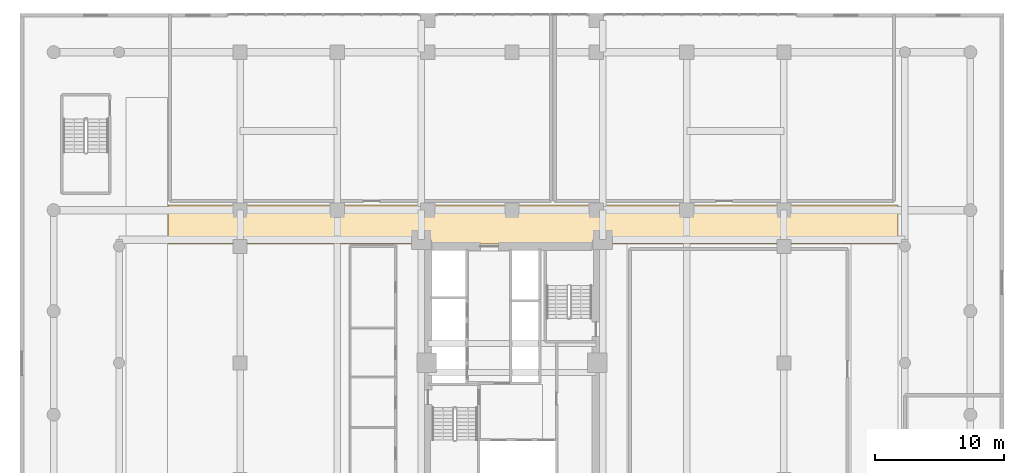
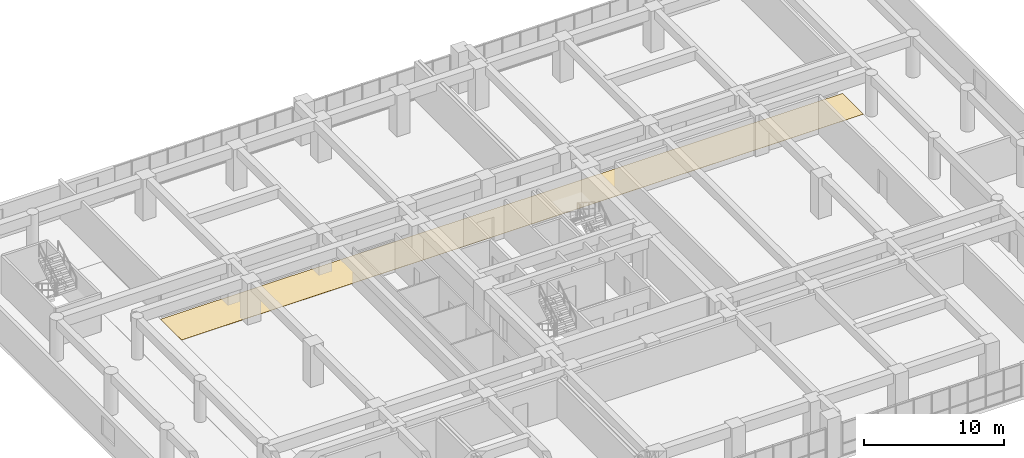
# One storey, part 28 of 30: 1 covering.
"""IFC4 building model written with IfcOpenShell, lengths in metres."""

from ifc_helpers import new_model, si_unit, direction, frame, origin, place, context, subcontext, project, spatial, polyline, outline, extrude, material, layer, layer_set, type_object, element, save


model = new_model("IFC4")

# Units and contexts
model_context = context("Model", 3, precision=1e-05, world=origin(), true_north=direction((0.0, 1.0)))
body_context = subcontext(model_context, "Body", "Model", "MODEL_VIEW")
ifc_project = project(units=[si_unit("LENGTHUNIT", "METRE"), si_unit("AREAUNIT", "SQUARE_METRE"), si_unit("VOLUMEUNIT", "CUBIC_METRE"), si_unit("PLANEANGLEUNIT", "RADIAN"), si_unit("MASSUNIT", "GRAM", prefix="KILO")], contexts=[model_context])

# Site, building, storey
site_placement = place(None, origin())
site = spatial("IfcSite", under=ifc_project, at=site_placement, CompositionType="ELEMENT")
building_placement = place(site_placement, origin())
building = spatial("IfcBuilding", under=site, at=building_placement, Name="Saelheon Loggia Tower", CompositionType="ELEMENT")
storey_placement = place(building_placement, frame((0.0, 0.0, 7.800048828125)))
storey = spatial("IfcBuildingStorey", under=building, at=storey_placement, Name="L02", CompositionType="ELEMENT", Elevation=7.800048828125)

# Covering
ifc_material = material(Name="Vitrified Porcelain Floor Tile", Category="ceramic")
ifc_layer = layer(ifc_material, 0.02001953125)
ifc_layer_set = layer_set([ifc_layer], Name="Vitrified Porcelain Floor Tile")
covering_type = type_object("IfcCoveringType", Name="Cov_Floor_Porcelain", PredefinedType="FLOORING", material=ifc_layer_set)
covering_placement = place(storey_placement, origin())
element("IfcCovering", 1, at=covering_placement, inside=storey, type_object=covering_type, Name="L02 Corridor Porcelain Flooring", PredefinedType="FLOORING", context=body_context, shape_type="SweptSolid", body=[
    extrude(outline(polyline([(11.419921875, 36.199951171875), (67.800048828125, 36.199951171875), (67.800048828125, 39.199951171875), (11.419921875, 39.199951171875), (11.419921875, 36.199951171875)])), origin(), (0.0, 0.0, 1.0), 0.02001953125),
])

save(model, "model.ifc")
